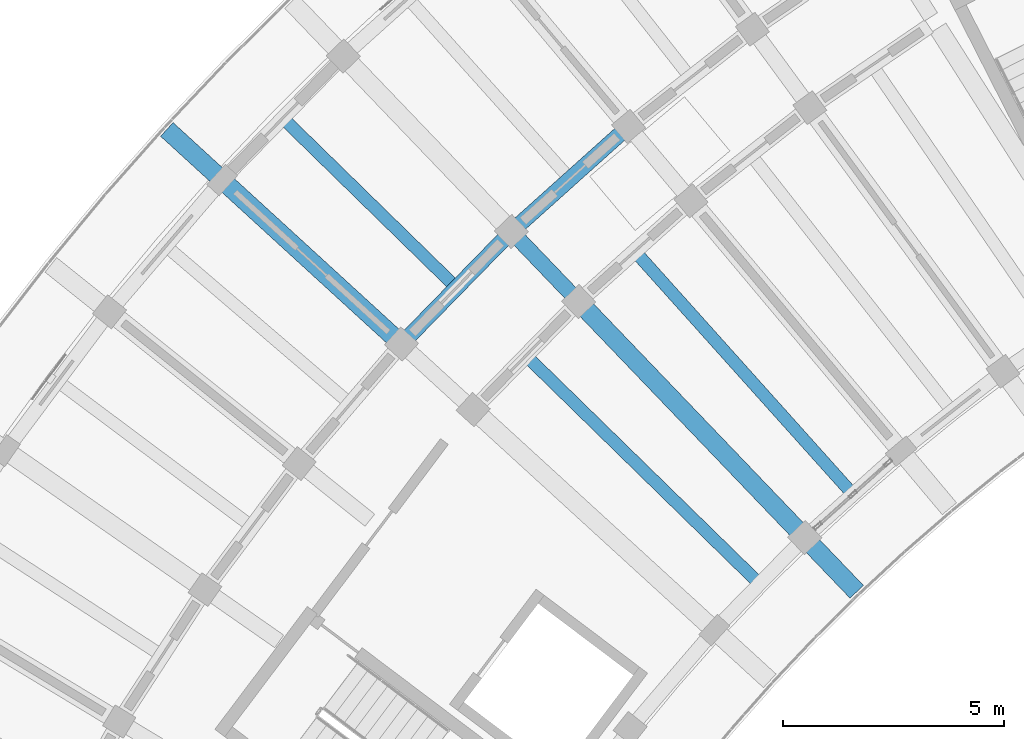
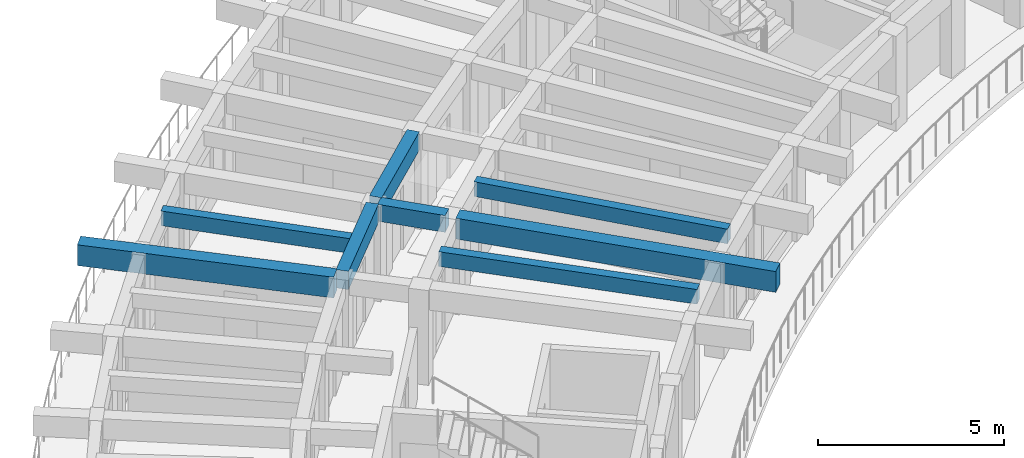
# One storey, part 12 of 81: 8 beams.
"""IFC4 building model written with IfcOpenShell, lengths in metres."""

from ifc_helpers import new_model, si_unit, direction, frame, origin, origin_2d, place, context, subcontext, project, spatial, rectangle, extrude, material, material_profile, profile_set, type_object, element, save


model = new_model("IFC4")

# Units and contexts
model_context = context("Model", 3, precision=1e-05, world=origin(), true_north=direction((0.0, 1.0)))
body_context = subcontext(model_context, "Body", "Model", "MODEL_VIEW")
ifc_project = project(units=[si_unit("LENGTHUNIT", "METRE"), si_unit("AREAUNIT", "SQUARE_METRE"), si_unit("VOLUMEUNIT", "CUBIC_METRE"), si_unit("PLANEANGLEUNIT", "RADIAN"), si_unit("MASSUNIT", "GRAM", prefix="KILO")], contexts=[model_context])

# Site, building, storey
site_placement = place(None, origin())
site = spatial("IfcSite", under=ifc_project, at=site_placement, CompositionType="ELEMENT")
building_placement = place(site_placement, origin())
building = spatial("IfcBuilding", under=site, at=building_placement, Name="Tanwirah Colonnade Gardens", CompositionType="ELEMENT")
storey_placement = place(building_placement, frame((0.0, 0.0, 8.840087890625)))
storey = spatial("IfcBuildingStorey", under=building, at=storey_placement, Name="L02", CompositionType="ELEMENT", Elevation=8.840087890625)

# Beams
ifc_material_1 = material(Name="Precast concrete C40/50", Category="concrete")
ifc_material_profile_1 = material_profile(ifc_material_1, rectangle(XDim=0.35009765625, YDim=0.550048828125, at=origin_2d()), Name="PC-BM 350x550")
ifc_profile_set_1 = profile_set([ifc_material_profile_1], Name="Precast concrete C40/50")
beam_type_1 = type_object("IfcBeamType", Name="BM-PC350A", PredefinedType="BEAM", material=ifc_profile_set_1)
beam_1_placement = place(storey_placement, frame((29.023193359375, 97.74560546875, 2.829833984375), z_axis=(-0.691913735329, 0.721980181766, 0.0), x_axis=(-0.721980181766, -0.691913735329, 0.0)))
element("IfcBeam", 1, at=beam_1_placement, inside=storey, type_object=beam_type_1, Name="Block A L02 Corridor Tie Beam 10", PredefinedType="BEAM", context=body_context, shape_type="SweptSolid", body=[
    extrude(rectangle(XDim=0.35009765625, YDim=0.550048828125, at=origin_2d()), origin(), (0.0, 0.0, 1.0), 1.900146484375),
])
ifc_material_profile_2 = material_profile(ifc_material_1, rectangle(XDim=0.35009765625, YDim=0.60009765625, at=origin_2d()), Name="PC-BM 350x600")
ifc_profile_set_2 = profile_set([ifc_material_profile_2], Name="Precast concrete C40/50")
beam_type_2 = type_object("IfcBeamType", Name="BM-PC350B", PredefinedType="BEAM", material=ifc_profile_set_2)
beam_2_placement = place(storey_placement, frame((30.145751953125, 101.504638671875, 2.804931640625), z_axis=(-0.744409136578, -0.667723773262, 0.0), x_axis=(0.667723773262, -0.744409136578, 0.0)))
element("IfcBeam", 2, at=beam_2_placement, inside=storey, type_object=beam_type_2, Name="Block A L02 Circumferential Beam 9-R2", PredefinedType="BEAM", context=body_context, shape_type="SweptSolid", body=[
    extrude(rectangle(XDim=0.35009765625, YDim=0.60009765625, at=origin_2d()), origin(), (0.0, 0.0, 1.0), 3.26318359375),
])
beam_3_placement = place(storey_placement, frame((27.5, 99.118408203125, 2.804931640625), z_axis=(-0.698829447339, -0.71528833594, 0.0), x_axis=(0.71528833594, -0.698829447339, 0.0)))
element("IfcBeam", 3, at=beam_3_placement, inside=storey, type_object=beam_type_2, Name="Block A L02 Circumferential Beam 10-R2", PredefinedType="BEAM", context=body_context, shape_type="SweptSolid", body=[
    extrude(rectangle(XDim=0.35009765625, YDim=0.60009765625, at=origin_2d()), origin(), (0.0, 0.0, 1.0), 3.263427734375),
])
ifc_material_2 = material(Name="Precast concrete C45/55", Category="concrete")
ifc_material_profile_3 = material_profile(ifc_material_2, rectangle(XDim=0.419921875, YDim=0.679931640625, at=origin_2d()), Name="PC-BM 420x680")
ifc_profile_set_3 = profile_set([ifc_material_profile_3], Name="Precast concrete C45/55")
beam_type_3 = type_object("IfcBeamType", Name="BM-PC420", PredefinedType="BEAM", material=ifc_profile_set_3)
beam_4_placement = place(storey_placement, frame((29.230712890625, 97.52880859375, 2.764892578125), z_axis=(0.691860926595, -0.722030787606, 0.0), x_axis=(0.722030787606, 0.691860926595, 0.0)))
element("IfcBeam", 4, at=beam_4_placement, inside=storey, type_object=beam_type_3, Name="Block A L02 Inner Radial Precast Girder 10", PredefinedType="BEAM", context=body_context, shape_type="SweptSolid", body=[
    extrude(rectangle(XDim=0.419921875, YDim=0.679931640625, at=origin_2d()), origin(), (0.0, 0.0, 1.0), 8.949951171875),
])
beam_5_placement = place(storey_placement, frame((25.004150390625, 96.7783203125, 2.764892578125), z_axis=(-0.737934199263, 0.674872667663, 0.0), x_axis=(-0.674872667663, -0.737934199263, 0.0)))
element("IfcBeam", 5, at=beam_5_placement, inside=storey, type_object=beam_type_3, Name="Block A L02 Outer Radial Precast Girder 11", PredefinedType="BEAM", context=body_context, shape_type="SweptSolid", body=[
    extrude(rectangle(XDim=0.419921875, YDim=0.679931640625, at=origin_2d()), origin(), (0.0, 0.0, 1.0), 7.050048828125),
])
ifc_material_profile_4 = material_profile(ifc_material_1, rectangle(XDim=0.280029296875, YDim=0.47998046875, at=origin_2d()), Name="PC-JST 280x480")
ifc_profile_set_4 = profile_set([ifc_material_profile_4], Name="Precast concrete C40/50")
beam_type_4 = type_object("IfcBeamType", Name="JST-PC280", PredefinedType="JOIST", material=ifc_profile_set_4)
beam_6_placement = place(storey_placement, frame((35.2412109375, 93.379638671875, 2.864990234375), z_axis=(-0.667688404274, 0.744440860511, 0.0), x_axis=(-0.744440860511, -0.667688404274, 0.0)))
element("IfcBeam", 6, at=beam_6_placement, inside=storey, type_object=beam_type_4, Name="Block A L02 Inner Precast Floor Joist 9", PredefinedType="JOIST", context=body_context, shape_type="SweptSolid", body=[
    extrude(rectangle(XDim=0.280029296875, YDim=0.47998046875, at=origin_2d()), origin(), (0.0, 0.0, 1.0), 7.16015625),
])
beam_7_placement = place(storey_placement, frame((26.2529296875, 98.0556640625, 2.864990234375), z_axis=(-0.715297399369, 0.698820170327, 0.0), x_axis=(-0.698820170327, -0.715297399369, 0.0)))
element("IfcBeam", 7, at=beam_7_placement, inside=storey, type_object=beam_type_4, Name="Block A L02 Precast Floor Joist 10", PredefinedType="JOIST", context=body_context, shape_type="SweptSolid", body=[
    extrude(rectangle(XDim=0.280029296875, YDim=0.47998046875, at=origin_2d()), origin(), (0.0, 0.0, 1.0), 5.260009765625),
])
beam_8_placement = place(storey_placement, frame((33.11962890625, 91.346923828125, 2.864990234375), z_axis=(-0.715276680509, 0.698841377081, 0.0), x_axis=(-0.698841377081, -0.715276680509, 0.0)))
element("IfcBeam", 8, at=beam_8_placement, inside=storey, type_object=beam_type_4, Name="Block A L02 Inner Precast Floor Joist 10", PredefinedType="JOIST", context=body_context, shape_type="SweptSolid", body=[
    extrude(rectangle(XDim=0.280029296875, YDim=0.47998046875, at=origin_2d()), origin(), (0.0, 0.0, 1.0), 7.159912109375),
])

save(model, "model.ifc")
